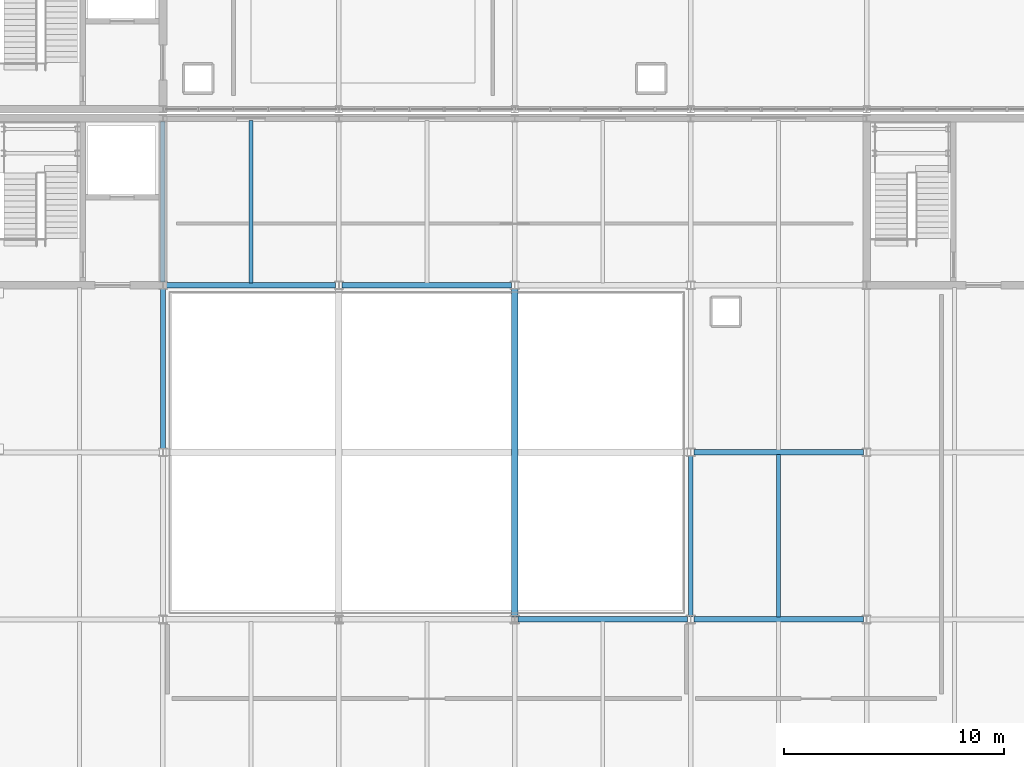
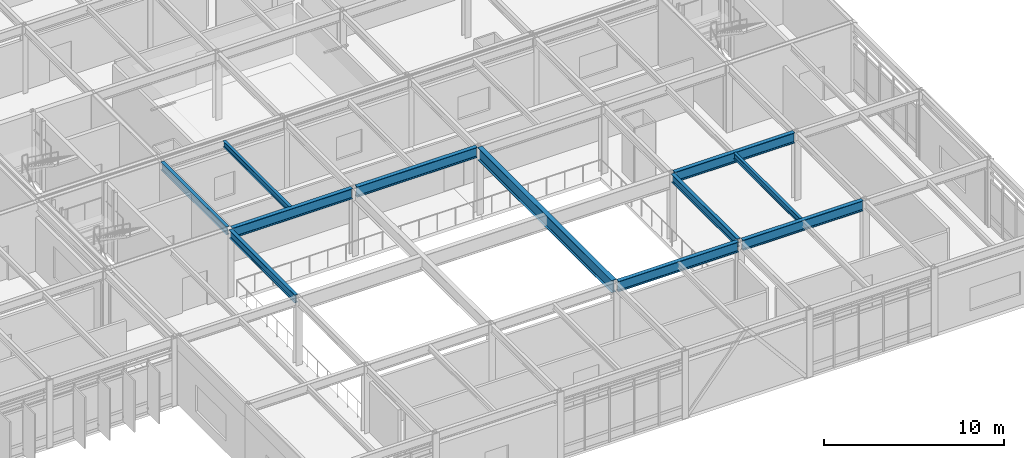
# One storey, part 61 of 104: 11 beams.
"""IFC4 building model written with IfcOpenShell, lengths in metres."""

from ifc_helpers import new_model, si_unit, direction, frame, origin, origin_2d, place, context, subcontext, project, spatial, i_section, extrude, material, material_profile, profile_set, type_object, element, save


model = new_model("IFC4")

# Units and contexts
model_context = context("Model", 3, precision=1e-05, world=origin(), true_north=direction((0.0, 1.0)))
body_context = subcontext(model_context, "Body", "Model", "MODEL_VIEW")
ifc_project = project(units=[si_unit("LENGTHUNIT", "METRE"), si_unit("AREAUNIT", "SQUARE_METRE"), si_unit("VOLUMEUNIT", "CUBIC_METRE"), si_unit("PLANEANGLEUNIT", "RADIAN"), si_unit("MASSUNIT", "GRAM", prefix="KILO")], contexts=[model_context])

# Site, building, storey
site_placement = place(None, origin())
site = spatial("IfcSite", under=ifc_project, at=site_placement, CompositionType="ELEMENT")
building_placement = place(site_placement, origin())
building = spatial("IfcBuilding", under=site, at=building_placement, Name="Zulena Civic Courthouse", CompositionType="ELEMENT")
storey_placement = place(building_placement, frame((0.0, 0.0, 10.800048828125)))
storey = spatial("IfcBuildingStorey", under=building, at=storey_placement, Name="L02", CompositionType="ELEMENT", Elevation=10.800048828125)

# Beams
ifc_material = material(Name="Steel ASTM A992 Grade 50", Category="steel")
ifc_material_profile_1 = material_profile(ifc_material, i_section(OverallWidth=0.214111328125, OverallDepth=0.549072265625, WebThickness=0.0146484375, FlangeThickness=0.023681640625, FilletRadius=0.0126953125, at=origin_2d()), Name="W21X93")
ifc_profile_set_1 = profile_set([ifc_material_profile_1], Name="Steel ASTM A992 Grade 50")
beam_type_1 = type_object("IfcBeamType", Name="Girder_W21X93", PredefinedType="BEAM", material=ifc_profile_set_1)
beam_1_placement = place(storey_placement, frame((132.0, 15.344970703125, 4.3154296875), z_axis=(0.0, 1.0, 0.0), x_axis=(-1.0, 0.0, 0.0)))
element("IfcBeam", 1, at=beam_1_placement, inside=storey, type_object=beam_type_1, Name="beam:Y:V1:L02:132.0:15.2_22.8", PredefinedType="BEAM", context=body_context, shape_type="SweptSolid", body=[
    extrude(i_section(OverallWidth=0.214111328125, OverallDepth=0.549072265625, WebThickness=0.0146484375, FlangeThickness=0.023681640625, FilletRadius=0.0126953125, at=origin_2d()), origin(), (0.0, 0.0, 1.0), 7.31005859375),
])
beam_2_placement = place(storey_placement, frame((156.0, 7.7451171875, 4.3154296875), z_axis=(0.0, 1.0, 0.0), x_axis=(-1.0, 0.0, 0.0)))
element("IfcBeam", 2, at=beam_2_placement, inside=storey, type_object=beam_type_1, Name="beam:Y:V1:L02:156.0:7.6_15.2", PredefinedType="BEAM", context=body_context, shape_type="SweptSolid", body=[
    extrude(i_section(OverallWidth=0.214111328125, OverallDepth=0.549072265625, WebThickness=0.0146484375, FlangeThickness=0.023681640625, FilletRadius=0.0126953125, at=origin_2d()), origin(), (0.0, 0.0, 1.0), 7.309814453125),
])
ifc_material_profile_2 = material_profile(ifc_material, i_section(OverallWidth=0.25390625, OverallDepth=0.701904296875, WebThickness=0.015380859375, FlangeThickness=0.02783203125, FilletRadius=0.0166015625, at=origin_2d()), Name="W27X129")
ifc_profile_set_2 = profile_set([ifc_material_profile_2], Name="Steel ASTM A992 Grade 50")
beam_type_2 = type_object("IfcBeamType", Name="Girder_W27X129", PredefinedType="BEAM", material=ifc_profile_set_2)
for number, where, z_axis, x_axis, name in (
    (3, (148.14501953125, 7.60009765625, 4.239013671875), (1.0, 0.0, 0.0), (0.0, 1.0, 0.0), "beam:X:V1:L02:7.6:148.0_156.0"),
    (4, (156.14501953125, 7.60009765625, 4.239013671875), (1.0, 0.0, 0.0), (0.0, 1.0, 0.0), "beam:X:V1:L02:7.6:156.0_164.0"),
    (5, (156.14501953125, 15.199951171875, 4.239013671875), (1.0, 0.0, 0.0), (0.0, 1.0, 0.0), "beam:X:V1:L02:15.2:156.0_164.0"),
    (6, (132.14501953125, 22.800048828125, 4.239013671875), (1.0, 0.0, 0.0), (0.0, 1.0, 0.0), "beam:X:V1:L02:22.8:132.0_140.0"),
    (7, (140.14501953125, 22.800048828125, 4.239013671875), (1.0, 0.0, 0.0), (0.0, 1.0, 0.0), "beam:X:V1:L02:22.8:140.0_148.0"),
):
    element("IfcBeam", number, at=place(storey_placement, frame(where, z_axis=z_axis, x_axis=x_axis)), inside=storey, type_object=beam_type_2, Name=name, PredefinedType="BEAM", context=body_context, shape_type="SweptSolid", body=[
        extrude(i_section(OverallWidth=0.25390625, OverallDepth=0.701904296875, WebThickness=0.015380859375, FlangeThickness=0.02783203125, FilletRadius=0.0166015625, at=origin_2d()), origin(), (0.0, 0.0, 1.0), 7.7099609375),
    ])
ifc_material_profile_3 = material_profile(ifc_material, i_section(OverallWidth=0.2919921875, OverallDepth=0.841064453125, WebThickness=0.0146484375, FlangeThickness=0.021728515625, FilletRadius=0.017822265625, at=origin_2d()), Name="W33X130")
ifc_profile_set_3 = profile_set([ifc_material_profile_3], Name="Steel ASTM A992 Grade 50")
beam_type_3 = type_object("IfcBeamType", Name="Girder_W33X130", PredefinedType="BEAM", material=ifc_profile_set_3)
beam_3_placement = place(storey_placement, frame((148.0, 7.7451171875, 4.16943359375), z_axis=(0.0, 1.0, 0.0), x_axis=(-1.0, 0.0, 0.0)))
element("IfcBeam", 8, at=beam_3_placement, inside=storey, type_object=beam_type_3, Name="beam:Y:V1:L02:148.0:7.6_22.8", PredefinedType="BEAM", context=body_context, shape_type="SweptSolid", body=[
    extrude(i_section(OverallWidth=0.2919921875, OverallDepth=0.841064453125, WebThickness=0.0146484375, FlangeThickness=0.021728515625, FilletRadius=0.017822265625, at=origin_2d()), origin(), (0.0, 0.0, 1.0), 14.909912109375),
])
ifc_material_profile_4 = material_profile(ifc_material, i_section(OverallWidth=0.177978515625, OverallDepth=0.406005859375, WebThickness=0.0078125, FlangeThickness=0.0126953125, FilletRadius=0.01025390625, at=origin_2d()), Name="W16X40")
ifc_profile_set_4 = profile_set([ifc_material_profile_4], Name="Steel ASTM A992 Grade 50")
beam_type_4 = type_object("IfcBeamType", Name="Joist_W16X40", PredefinedType="JOIST", material=ifc_profile_set_4)
for number, where, z_axis, x_axis, name in (
    (9, (136.0, 22.905029296875, 4.386962890625), (0.0, 1.0, 0.0), (-1.0, 0.0, 0.0), "joist:V1:L02:136.00:22.8_30.4"),
    (10, (160.0, 7.705078125, 4.386962890625), (0.0, 1.0, 0.0), (-1.0, 0.0, 0.0), "joist:V1:L02:160.00:7.6_15.2"),
):
    element("IfcBeam", number, at=place(storey_placement, frame(where, z_axis=z_axis, x_axis=x_axis)), inside=storey, type_object=beam_type_4, Name=name, PredefinedType="JOIST", context=body_context, shape_type="SweptSolid", body=[
        extrude(i_section(OverallWidth=0.177978515625, OverallDepth=0.406005859375, WebThickness=0.0078125, FlangeThickness=0.0126953125, FilletRadius=0.01025390625, at=origin_2d()), origin(), (0.0, 0.0, 1.0), 7.389892578125),
    ])
ifc_material_profile_5 = material_profile(ifc_material, i_section(OverallWidth=0.2099609375, OverallDepth=0.537109375, WebThickness=0.010986328125, FlangeThickness=0.017333984375, FilletRadius=0.0126953125, at=origin_2d()), Name="W21X68")
ifc_profile_set_5 = profile_set([ifc_material_profile_5], Name="Steel ASTM A992 Grade 50")
beam_type_5 = type_object("IfcBeamType", Name="Spandrel_W21X68", PredefinedType="SPANDREL", material=ifc_profile_set_5)
beam_4_placement = place(storey_placement, frame((132.0, 22.945068359375, 4.321533203125), z_axis=(0.0, 1.0, 0.0), x_axis=(-1.0, 0.0, 0.0)))
element("IfcBeam", 11, at=beam_4_placement, inside=storey, type_object=beam_type_5, Name="beam:Y:V1:L02:132.0:22.8_30.4", PredefinedType="SPANDREL", context=body_context, shape_type="SweptSolid", body=[
    extrude(i_section(OverallWidth=0.2099609375, OverallDepth=0.537109375, WebThickness=0.010986328125, FlangeThickness=0.017333984375, FilletRadius=0.0126953125, at=origin_2d()), origin(), (0.0, 0.0, 1.0), 7.309814453125),
])

save(model, "model.ifc")
